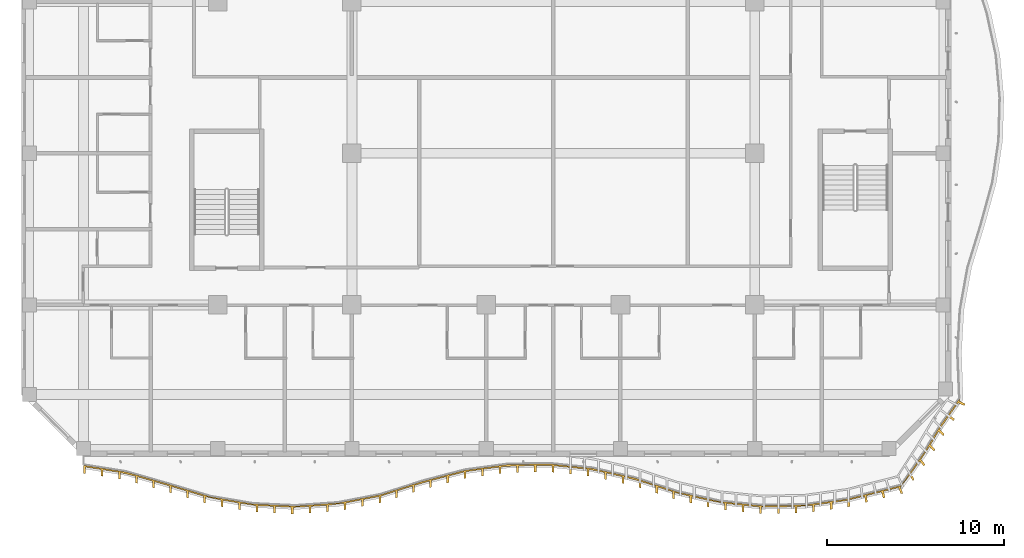
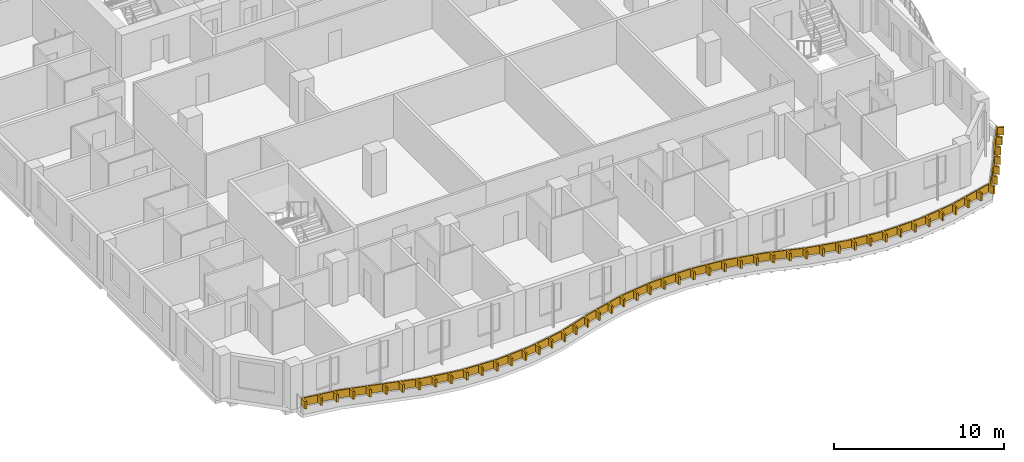
# One storey, part 15 of 21: 1 shading device.
"""IFC4 building model written with IfcOpenShell, lengths in metres."""

from ifc_helpers import new_model, si_unit, direction, frame, origin, place, context, subcontext, project, spatial, polyline, outline, extrude, source, transform, mapped, material, layer, layer_set, type_object, element, save


model = new_model("IFC4")

# Units and contexts
model_context = context("Model", 3, precision=1e-05, world=origin(), true_north=direction((0.0, 1.0)))
body_context = subcontext(model_context, "Body", "Model", "MODEL_VIEW")
ifc_project = project(units=[si_unit("LENGTHUNIT", "METRE"), si_unit("AREAUNIT", "SQUARE_METRE"), si_unit("VOLUMEUNIT", "CUBIC_METRE"), si_unit("PLANEANGLEUNIT", "RADIAN"), si_unit("MASSUNIT", "GRAM", prefix="KILO")], contexts=[model_context])

# Site, building, storey
site_placement = place(None, origin())
site = spatial("IfcSite", under=ifc_project, at=site_placement, CompositionType="ELEMENT")
building_placement = place(site_placement, origin())
building = spatial("IfcBuilding", under=site, at=building_placement, Name="Kilnfold Tower and Market Hall", CompositionType="ELEMENT")
storey_placement = place(building_placement, frame((0.0, 0.0, 185.5)))
storey = spatial("IfcBuildingStorey", under=building, at=storey_placement, Name="L44", CompositionType="ELEMENT", Elevation=185.5)

# Shading device
ifc_material = material(Name="Bronze anodised aluminium", Category="aluminium")
ifc_layer = layer(ifc_material, 0.550048828125)
ifc_layer_set = layer_set([ifc_layer], Name="Bronze anodised aluminium")
shading_device_type = type_object("IfcShadingDeviceType", Name="BRONZE SLAT FASCIA 550", PredefinedType="USERDEFINED", material=ifc_layer_set)
shared_shape = source(origin(), body_context, "Body", "SweptSolid", [
    extrude(outline(polyline([(-23.75, -27.1953125), (-23.75, -26.745361328125), (-21.355224609375, -27.125244140625), (-18.96044921875, -27.81201171875), (-16.56591796875, -28.526611328125), (-14.171142578125, -28.932861328125), (-11.7763671875, -29.048583984375), (-9.381591796875, -28.879150390625), (-6.98681640625, -28.416748046875), (-4.592041015625, -27.658447265625), (-2.197509765625, -27.03125), (0.197509765625, -26.70654296875), (2.592041015625, -26.66943359375), (4.98681640625, -26.918701171875), (7.381591796875, -27.46484375), (9.7763671875, -28.246337890625), (12.171142578125, -28.78759765625), (14.56591796875, -29.0322265625), (16.96044921875, -28.990478515625), (19.355224609375, -28.660888671875), (22.4306640625, -27.893310546875), (23.78515625, -25.95166015625), (24.65966796875, -24.492919921875), (25.743896484375, -22.973388671875), (25.7314453125, -23.123779296875), (26.067138671875, -23.276123046875), (25.994140625, -23.37890625), (25.6630859375, -23.218994140625), (25.163818359375, -23.917724609375), (25.459716796875, -24.132080078125), (25.38671875, -24.23486328125), (25.095947265625, -24.01318359375), (24.60986328125, -24.726806640625), (24.87158203125, -24.988525390625), (24.809814453125, -25.091552734375), (24.548095703125, -24.829833984375), (24.095703125, -25.584716796875), (24.357421875, -25.84619140625), (24.295654296875, -25.94921875), (24.033935546875, -25.6875), (23.554443359375, -26.413330078125), (23.792236328125, -26.69287109375), (23.718505859375, -26.793212890625), (23.486328125, -26.509521484375), (22.988525390625, -27.21533203125), (23.17724609375, -27.528564453125), (23.103515625, -27.62890625), (22.9208984375, -27.31201171875), (22.398193359375, -27.98291015625), (22.537109375, -28.325439453125), (22.4169921875, -28.35498046875), (22.283447265625, -28.010986328125), (21.44140625, -28.21923828125), (21.537109375, -28.572265625), (21.417236328125, -28.601806640625), (21.32666015625, -28.247802734375), (20.4853515625, -28.457275390625), (20.537109375, -28.819091796875), (20.417236328125, -28.848876953125), (20.37060546875, -28.486083984375), (19.529296875, -28.697265625), (19.537109375, -29.066162109375), (19.417236328125, -29.095703125), (19.41455078125, -28.72607421875), (18.544921875, -28.8525390625), (18.544921875, -29.222412109375), (18.426025390625, -29.239013671875), (18.426025390625, -28.868896484375), (17.55419921875, -28.989013671875), (17.55419921875, -29.35888671875), (17.435302734375, -29.375244140625), (17.435302734375, -29.00537109375), (16.559814453125, -29.07763671875), (16.559814453125, -29.447509765625), (16.43994140625, -29.44970703125), (16.43994140625, -29.07958984375), (15.56005859375, -29.094970703125), (15.56005859375, -29.46484375), (15.43994140625, -29.467041015625), (15.43994140625, -29.096923828125), (14.560302734375, -29.111572265625), (14.560302734375, -29.481689453125), (14.44091796875, -29.469482421875), (14.44091796875, -29.099365234375), (13.565185546875, -29.010009765625), (13.565185546875, -29.380126953125), (13.446044921875, -29.367919921875), (13.446044921875, -28.997802734375), (12.570556640625, -28.908447265625), (12.570556640625, -29.278564453125), (12.451171875, -29.266357421875), (12.451171875, -28.896240234375), (11.58740234375, -28.735595703125), (11.58740234375, -29.105712890625), (11.47021484375, -29.079345703125), (11.47021484375, -28.709228515625), (10.61181640625, -28.515380859375), (10.61181640625, -28.88525390625), (10.494873046875, -28.85888671875), (10.494873046875, -28.48876953125), (9.64013671875, -28.281982421875), (9.64013671875, -28.65185546875), (9.52587890625, -28.61474609375), (9.52587890625, -28.24462890625), (8.689453125, -27.9716796875), (8.689453125, -28.341796875), (8.5751953125, -28.304443359375), (8.5751953125, -27.9345703125), (7.73876953125, -27.66162109375), (7.73876953125, -28.031494140625), (7.624755859375, -27.994140625), (7.624755859375, -27.624267578125), (6.77294921875, -27.406005859375), (6.77294921875, -27.776123046875), (6.656005859375, -27.74951171875), (6.656005859375, -27.37939453125), (5.798095703125, -27.18359375), (5.798095703125, -27.5537109375), (5.680908203125, -27.527099609375), (5.680908203125, -27.156982421875), (4.819580078125, -26.981201171875), (4.819580078125, -27.351318359375), (4.700439453125, -27.3388671875), (4.700439453125, -26.96875), (3.8251953125, -26.877685546875), (3.8251953125, -27.247802734375), (3.705810546875, -27.2353515625), (3.705810546875, -26.865234375), (2.83056640625, -26.7744140625), (2.83056640625, -27.144287109375), (2.711181640625, -27.1318359375), (2.711181640625, -26.761962890625), (1.831787109375, -26.76123046875), (1.831787109375, -27.131103515625), (1.7119140625, -27.133056640625), (1.7119140625, -26.76318359375), (0.83203125, -26.776611328125), (0.83203125, -27.146728515625), (0.7119140625, -27.1484375), (0.7119140625, -26.778564453125), (-0.164794921875, -26.835693359375), (-0.164794921875, -27.20556640625), (-0.28369140625, -27.2216796875), (-0.28369140625, -26.851806640625), (-1.155517578125, -26.969970703125), (-1.155517578125, -27.340087890625), (-1.2744140625, -27.356201171875), (-1.2744140625, -26.986083984375), (-2.146484375, -27.1044921875), (-2.146484375, -27.474365234375), (-2.263916015625, -27.498779296875), (-2.263916015625, -27.128662109375), (-3.114990234375, -27.351806640625), (-3.114990234375, -27.7216796875), (-3.231201171875, -27.752197265625), (-3.231201171875, -27.382080078125), (-4.08251953125, -27.60498046875), (-4.08251953125, -27.97509765625), (-4.198486328125, -28.00537109375), (-4.198486328125, -27.635498046875), (-5.043212890625, -27.88134765625), (-5.043212890625, -28.251220703125), (-5.15771484375, -28.28759765625), (-5.15771484375, -27.91748046875), (-5.99658203125, -28.18310546875), (-5.99658203125, -28.55322265625), (-6.11083984375, -28.589599609375), (-6.11083984375, -28.219482421875), (-6.949951171875, -28.485107421875), (-6.949951171875, -28.85498046875), (-6.98681640625, -28.86669921875), (-7.066650390625, -28.882080078125), (-7.066650390625, -28.51220703125), (-7.9306640625, -28.678955078125), (-7.9306640625, -29.049072265625), (-8.048583984375, -29.07177734375), (-8.048583984375, -28.701904296875), (-8.91259765625, -28.86865234375), (-8.91259765625, -29.238525390625), (-9.0302734375, -29.261474609375), (-9.0302734375, -28.891357421875), (-9.902587890625, -28.99609375), (-9.902587890625, -29.3662109375), (-10.022216796875, -29.37451171875), (-10.022216796875, -29.00439453125), (-10.89990234375, -29.066650390625), (-10.89990234375, -29.436767578125), (-11.019775390625, -29.4453125), (-11.019775390625, -29.0751953125), (-11.897705078125, -29.122802734375), (-11.897705078125, -29.492919921875), (-12.017578125, -29.487060546875), (-12.017578125, -29.116943359375), (-12.896484375, -29.074462890625), (-12.896484375, -29.444580078125), (-13.016357421875, -29.438720703125), (-13.016357421875, -29.068603515625), (-13.8955078125, -29.026123046875), (-13.8955078125, -29.396240234375), (-14.01513671875, -29.390380859375), (-14.01513671875, -29.0205078125), (-14.885009765625, -28.891845703125), (-14.885009765625, -29.26171875), (-15.003173828125, -29.24169921875), (-15.003173828125, -28.871826171875), (-15.870849609375, -28.724609375), (-15.870849609375, -29.094482421875), (-15.989013671875, -29.074462890625), (-15.989013671875, -28.70458984375), (-16.848388671875, -28.522216796875), (-16.848388671875, -28.892333984375), (-16.96337890625, -28.85791015625), (-16.96337890625, -28.488037109375), (-17.806884765625, -28.236328125), (-17.806884765625, -28.6064453125), (-17.921875, -28.572021484375), (-17.921875, -28.2021484375), (-18.764892578125, -27.950439453125), (-18.764892578125, -28.3203125), (-18.8798828125, -28.2861328125), (-18.8798828125, -27.916015625), (-19.7255859375, -27.672607421875), (-19.7255859375, -28.042724609375), (-19.841064453125, -28.009521484375), (-19.841064453125, -27.6396484375), (-20.68701171875, -27.39697265625), (-20.68701171875, -27.76708984375), (-20.80224609375, -27.73388671875), (-20.80224609375, -27.364013671875), (-21.65625, -27.15771484375), (-21.65625, -27.527587890625), (-21.774658203125, -27.5087890625), (-21.774658203125, -27.138671875), (-22.643798828125, -27.000732421875), (-22.643798828125, -27.370849609375), (-22.762451171875, -27.35205078125), (-22.762451171875, -26.98193359375), (-23.631591796875, -26.843994140625), (-23.631591796875, -27.214111328125), (-23.75, -27.1953125)])), origin(), (0.0, 0.0, 1.0), 0.550048828125),
])
shading_device_placement = place(storey_placement, frame((0.0, 0.0, 0.550048828125)))
element("IfcShadingDevice", 1, at=shading_device_placement, inside=storey, type_object=shading_device_type, Name="Balcony slat fascia L44", ObjectType="SLAT", PredefinedType="USERDEFINED", context=body_context, shape_type="MappedRepresentation", body=[
    mapped(shared_shape, transform((0.0, 0.0, 0.0))),
])

save(model, "model.ifc")
